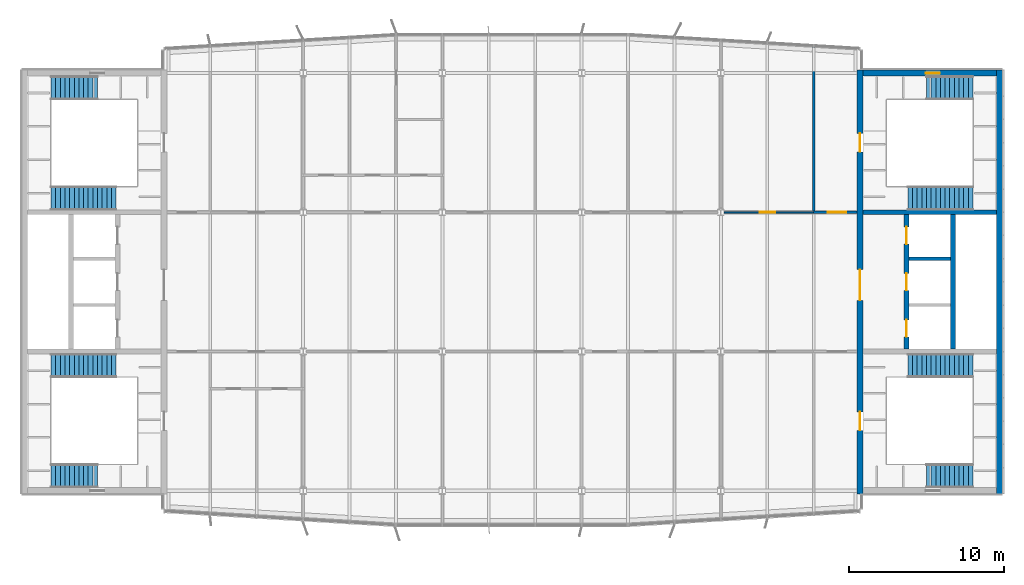
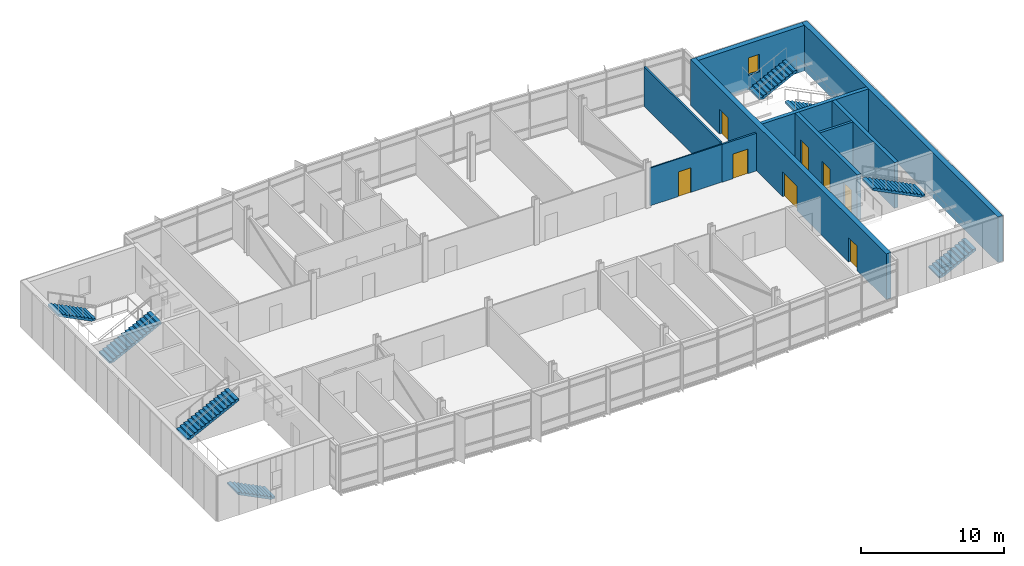
# One storey, part 13 of 17: 10 walls, 8 doors, 8 stair flights, 1 window, 9 openings, 4 elements without a shape of their own.
"""IFC4 building model written with IfcOpenShell, lengths in metres."""

from ifc_helpers import new_model, si_unit, direction, frame, frame_2d, origin, place, context, subcontext, project, spatial, polyline, rectangle, outline, extrude, material, layer, layer_set, type_object, element, fill, aggregate, save


model = new_model("IFC4")

# Units and contexts
model_context = context("Model", 3, precision=1e-05, world=origin(), true_north=direction((0.0, 1.0)))
body_context = subcontext(model_context, "Body", "Model", "MODEL_VIEW")
ifc_project = project(units=[si_unit("LENGTHUNIT", "METRE"), si_unit("AREAUNIT", "SQUARE_METRE"), si_unit("VOLUMEUNIT", "CUBIC_METRE"), si_unit("PLANEANGLEUNIT", "RADIAN"), si_unit("MASSUNIT", "GRAM", prefix="KILO")], contexts=[model_context])

# Site, building, storey
site_placement = place(None, origin())
site = spatial("IfcSite", under=ifc_project, at=site_placement, CompositionType="ELEMENT")
building_placement = place(site_placement, origin())
building = spatial("IfcBuilding", under=site, at=building_placement, Name="Azimuth Sports and Learning Centre", CompositionType="ELEMENT")
storey_placement = place(building_placement, frame((0.0, 0.0, 40.199951171875)))
storey = spatial("IfcBuildingStorey", under=building, at=storey_placement, Name="L08", CompositionType="ELEMENT", Elevation=40.199951171875)

# Wall
ifc_material_1 = material(Name="Dense masonry blockwork", Category="masonry")
ifc_layer_1 = layer(ifc_material_1, 0.199951171875)
ifc_layer_set_1 = layer_set([ifc_layer_1], Name="Dense masonry blockwork")
wall_type_1 = type_object("IfcWallType", Name="Blockwork wall 200 EI 120", PredefinedType="SOLIDWALL", material=ifc_layer_set_1)
wall_1_placement = place(storey_placement, frame((111.14990234375, 105.0, 0.0), z_axis=(0.0, 0.0, 1.0), x_axis=(1.0, 0.0, 0.0)))
element("IfcWall", 1, at=wall_1_placement, inside=storey, type_object=wall_type_1, Name="SD-E-2-L08", PredefinedType="SOLIDWALL", context=body_context, shape_type="SweptSolid", body=[
    extrude(rectangle(XDim=2.7001953125, YDim=0.199951171875, at=frame_2d((1.35009765625, 0.0))), origin(), (0.0, 0.0, 1.0), 3.900146484375),
])

# Wall, opening, door
ifc_material_2 = material(Name="Gypsum board on steel studs", Category="steel")
ifc_layer_2 = layer(ifc_material_2, 0.10009765625)
ifc_layer_set_2 = layer_set([ifc_layer_2], Name="Gypsum board on steel studs")
wall_type_2 = type_object("IfcWallType", Name="Partition 100 EI 30", PredefinedType="PARTITIONING", material=ifc_layer_set_2)
wall_2_placement = place(storey_placement, frame((99.2060546875, 108.0, 0.0), z_axis=(0.0, 0.0, 1.0), x_axis=(1.0, 0.0, 0.0)))
wall_2 = element("IfcWall", 2, at=wall_2_placement, inside=storey, type_object=wall_type_2, Name="Partition Classroom 08.22 / Classroom 08.23", PredefinedType="PARTITIONING", context=body_context, shape_type="SweptSolid", body=[
    extrude(rectangle(XDim=5.7939453125, YDim=0.10009765625, at=frame_2d((2.89697265625, 0.0))), origin(), (0.0, 0.0, 1.0), 3.219970703125),
])
opening_1_placement = place(wall_2_placement, frame((2.2939453125, 0.0, 0.0)))
opening_1 = element("IfcOpeningElement", 3, at=opening_1_placement, cuts=wall_2, Name="Opening D08-027", PredefinedType="OPENING", context=body_context, shape_type="SweptSolid", body=[
    extrude(rectangle(XDim=1.0, YDim=2.10009765625, at=frame_2d((0.5, 1.050048828125))), frame((0.0, 0.06103515625, 0.0), z_axis=(0.0, -1.0, 0.0), x_axis=(1.0, 0.0, 0.0)), (0.0, 0.0, 1.0), 0.1220703125),
])
ifc_material_3 = material(Name="Painted steel door set", Category="steel")
door_type_1 = type_object("IfcDoorType", Name="Fire door FD30S 1000 x 2100", OperationType="NOTDEFINED", PredefinedType="DOOR", material=ifc_material_3)
door_1_placement = place(opening_1_placement, origin())
door_1 = element("IfcDoor", 4, at=door_1_placement, inside=storey, type_object=door_type_1, Name="Door Seminar Room 08.25 / Learning Street", OperationType="SINGLE_SWING_LEFT", OverallHeight=2.10009765625, OverallWidth=1.0, PredefinedType="DOOR", context=body_context, shape_type="SweptSolid", body=[
    extrude(rectangle(XDim=1.0, YDim=2.10009765625, at=frame_2d((0.5, 1.050048828125))), frame((0.0, 0.02490234375, 0.0), z_axis=(0.0, -1.0, 0.0), x_axis=(1.0, 0.0, 0.0)), (0.0, 0.0, 1.0), 0.050048828125),
])
fill(opening_1, door_1)

ifc_material_4 = material(Name="Lightweight blockwork, rendered", Category="masonry")
ifc_layer_3 = layer(ifc_material_4, 0.14990234375)
ifc_layer_set_3 = layer_set([ifc_layer_3], Name="Lightweight blockwork, rendered")
wall_type_3 = type_object("IfcWallType", Name="Partition 150 EI 60", PredefinedType="PARTITIONING", material=ifc_layer_set_3)
wall_3_placement = place(storey_placement, frame((105.0, 108.0, 0.0), z_axis=(0.0, 0.0, 1.0), x_axis=(1.0, 0.0, 0.0)))
wall_3 = element("IfcWall", 5, at=wall_3_placement, inside=storey, type_object=wall_type_3, Name="Partition Stair Lobby E2 08.04 / Learning Street", PredefinedType="PARTITIONING", context=body_context, shape_type="SweptSolid", body=[
    extrude(rectangle(XDim=2.800048828125, YDim=0.14990234375, at=frame_2d((1.39990234375, 0.0))), origin(), (0.0, 0.0, 1.0), 3.219970703125),
])
opening_2_placement = place(wall_3_placement, frame((0.89990234375, 0.0, 0.0)))
opening_2 = element("IfcOpeningElement", 6, at=opening_2_placement, cuts=wall_3, Name="Opening D08-014", PredefinedType="OPENING", context=body_context, shape_type="SweptSolid", body=[
    extrude(rectangle(XDim=1.199951171875, YDim=2.10009765625, at=frame_2d((0.60009765625, 1.050048828125))), frame((0.0, 0.0859375, 0.0), z_axis=(0.0, -1.0, 0.0), x_axis=(1.0, 0.0, 0.0)), (0.0, 0.0, 1.0), 0.171875),
])
ifc_material_5 = material(Name="Painted steel door set", Category="steel")
door_type_2 = type_object("IfcDoorType", Name="Fire door FD60 1200 x 2100", OperationType="NOTDEFINED", PredefinedType="DOOR", material=ifc_material_5)
door_2_placement = place(opening_2_placement, origin())
door_2 = element("IfcDoor", 7, at=door_2_placement, inside=storey, type_object=door_type_2, Name="Door Stair Lobby E2 08.04 / Learning Street", OperationType="SINGLE_SWING_RIGHT", OverallHeight=2.10009765625, OverallWidth=1.199951171875, PredefinedType="DOOR", context=body_context, shape_type="SweptSolid", body=[
    extrude(rectangle(XDim=1.199951171875, YDim=2.10009765625, at=frame_2d((0.60009765625, 1.050048828125))), frame((0.0, 0.02490234375, 0.0), z_axis=(0.0, -1.0, 0.0), x_axis=(1.0, 0.0, 0.0)), (0.0, 0.0, 1.0), 0.050048828125),
])
fill(opening_2, door_2)

# Walls
wall_4_placement = place(storey_placement, frame((105.0, 108.074951171875, 0.0), z_axis=(0.0, 0.0, 1.0), x_axis=(0.0, 1.0, 0.0)))
element("IfcWall", 8, at=wall_4_placement, inside=storey, type_object=wall_type_3, Name="Partition Stair Lobby E2 08.04 / Seminar Room 08.25", PredefinedType="PARTITIONING", context=body_context, shape_type="SweptSolid", body=[
    extrude(rectangle(XDim=10.60498046875, YDim=0.14990234375, at=frame_2d((5.302490234375, 0.0))), origin(), (0.0, 0.0, 1.0), 3.3701171875),
])
ifc_material_6 = material(Name="Concrete C40/50", Category="concrete")
ifc_layer_4 = layer(ifc_material_6, 0.300048828125)
ifc_layer_set_4 = layer_set([ifc_layer_4], Name="Concrete C40/50")
wall_type_4 = type_object("IfcWallType", Name="RC core wall 300", PredefinedType="SHEAR", material=ifc_layer_set_4)
wall_5_placement = place(storey_placement, frame((108.199951171875, 108.0, 0.0), z_axis=(0.0, 0.0, 1.0), x_axis=(1.0, 0.0, 0.0)))
element("IfcWall", 9, at=wall_5_placement, inside=storey, type_object=wall_type_4, Name="Core wall E D2 L08", PredefinedType="SHEAR", context=body_context, shape_type="SweptSolid", body=[
    extrude(rectangle(XDim=8.60009765625, YDim=0.300048828125, at=frame_2d((4.300048828125, 0.0))), origin(), (0.0, 0.0, 1.0), 3.900146484375),
])

# Wall, openings, doors
wall_6_placement = place(storey_placement, frame((111.0, 99.14990234375, 0.0), z_axis=(0.0, 0.0, 1.0), x_axis=(0.0, 1.0, 0.0)))
wall_6 = element("IfcWall", 10, at=wall_6_placement, inside=storey, type_object=wall_type_4, Name="Core wall E LB1 L08", PredefinedType="SHEAR", context=body_context, shape_type="SweptSolid", body=[
    extrude(rectangle(XDim=8.7001953125, YDim=0.300048828125, at=frame_2d((4.35009765625, 0.0))), origin(), (0.0, 0.0, 1.0), 3.900146484375),
])
opening_3_placement = place(wall_6_placement, frame((0.800048828125, 0.0, 0.0)))
opening_3 = element("IfcOpeningElement", 11, at=opening_3_placement, cuts=wall_6, Name="Opening D08-008", PredefinedType="OPENING", context=body_context, shape_type="SweptSolid", body=[
    extrude(rectangle(XDim=1.10009765625, YDim=2.10009765625, at=frame_2d((0.550048828125, 1.050048828125))), frame((0.0, 0.1611328125, 0.0), z_axis=(0.0, -1.0, 0.0), x_axis=(1.0, 0.0, 0.0)), (0.0, 0.0, 1.0), 0.322021484375),
])
opening_4_placement = place(wall_6_placement, frame((3.800048828125, 0.0, 0.0)))
opening_4 = element("IfcOpeningElement", 12, at=opening_4_placement, cuts=wall_6, Name="Opening D08-009", PredefinedType="OPENING", context=body_context, shape_type="SweptSolid", body=[
    extrude(rectangle(XDim=1.10009765625, YDim=2.10009765625, at=frame_2d((0.550048828125, 1.050048828125))), frame((0.0, 0.1611328125, 0.0), z_axis=(0.0, -1.0, 0.0), x_axis=(1.0, 0.0, 0.0)), (0.0, 0.0, 1.0), 0.322021484375),
])
opening_5_placement = place(wall_6_placement, frame((6.800048828125, 0.0, 0.0)))
opening_5 = element("IfcOpeningElement", 13, at=opening_5_placement, cuts=wall_6, Name="Opening D08-010", PredefinedType="OPENING", context=body_context, shape_type="SweptSolid", body=[
    extrude(rectangle(XDim=1.10009765625, YDim=2.10009765625, at=frame_2d((0.550048828125, 1.050048828125))), frame((0.0, 0.1611328125, 0.0), z_axis=(0.0, -1.0, 0.0), x_axis=(1.0, 0.0, 0.0)), (0.0, 0.0, 1.0), 0.322021484375),
])
ifc_material_7 = material(Name="Stainless steel", Category="steel")
door_type_3 = type_object("IfcDoorType", Name="Lift landing door 1100 x 2100", OperationType="DOUBLE_DOOR_SLIDING", PredefinedType="DOOR", material=ifc_material_7)
door_3_placement = place(opening_3_placement, origin())
door_3 = element("IfcDoor", 14, at=door_3_placement, inside=storey, type_object=door_type_3, Name="Landing door LE1 L08", OperationType="DOUBLE_DOOR_SLIDING", OverallHeight=2.10009765625, OverallWidth=1.10009765625, PredefinedType="DOOR", context=body_context, shape_type="SweptSolid", body=[
    extrude(rectangle(XDim=1.10009765625, YDim=2.10009765625, at=frame_2d((0.550048828125, 1.050048828125))), frame((0.0, 0.02490234375, 0.0), z_axis=(0.0, -1.0, 0.0), x_axis=(1.0, 0.0, 0.0)), (0.0, 0.0, 1.0), 0.050048828125),
])
fill(opening_3, door_3)
door_4_placement = place(opening_4_placement, origin())
door_4 = element("IfcDoor", 15, at=door_4_placement, inside=storey, type_object=door_type_3, Name="Landing door LE2 L08", OperationType="DOUBLE_DOOR_SLIDING", OverallHeight=2.10009765625, OverallWidth=1.10009765625, PredefinedType="DOOR", context=body_context, shape_type="SweptSolid", body=[
    extrude(rectangle(XDim=1.10009765625, YDim=2.10009765625, at=frame_2d((0.550048828125, 1.050048828125))), frame((0.0, 0.02490234375, 0.0), z_axis=(0.0, -1.0, 0.0), x_axis=(1.0, 0.0, 0.0)), (0.0, 0.0, 1.0), 0.050048828125),
])
fill(opening_4, door_4)
door_5_placement = place(opening_5_placement, origin())
door_5 = element("IfcDoor", 16, at=door_5_placement, inside=storey, type_object=door_type_3, Name="Landing door LE3 L08", OperationType="DOUBLE_DOOR_SLIDING", OverallHeight=2.10009765625, OverallWidth=1.10009765625, PredefinedType="DOOR", context=body_context, shape_type="SweptSolid", body=[
    extrude(rectangle(XDim=1.10009765625, YDim=2.10009765625, at=frame_2d((0.550048828125, 1.050048828125))), frame((0.0, 0.02490234375, 0.0), z_axis=(0.0, -1.0, 0.0), x_axis=(1.0, 0.0, 0.0)), (0.0, 0.0, 1.0), 0.050048828125),
])
fill(opening_5, door_5)

# Wall
wall_7_placement = place(storey_placement, frame((114.0, 99.14990234375, 0.0), z_axis=(0.0, 0.0, 1.0), x_axis=(0.0, 1.0, 0.0)))
element("IfcWall", 17, at=wall_7_placement, inside=storey, type_object=wall_type_4, Name="Core wall E LB2 L08", PredefinedType="SHEAR", context=body_context, shape_type="SweptSolid", body=[
    extrude(rectangle(XDim=8.7001953125, YDim=0.300048828125, at=frame_2d((4.35009765625, 0.0))), origin(), (0.0, 0.0, 1.0), 3.900146484375),
])

# Wall, openings, doors
ifc_material_8 = material(Name="Concrete C40/50", Category="concrete")
ifc_layer_5 = layer(ifc_material_8, 0.39990234375)
ifc_layer_set_5 = layer_set([ifc_layer_5], Name="Concrete C40/50")
wall_type_5 = type_object("IfcWallType", Name="RC core wall 400", PredefinedType="SHEAR", material=ifc_layer_set_5)
wall_8_placement = place(storey_placement, frame((108.0, 89.800048828125, 0.0), z_axis=(0.0, 0.0, 1.0), x_axis=(0.0, 1.0, 0.0)))
wall_8 = element("IfcWall", 18, at=wall_8_placement, inside=storey, type_object=wall_type_5, Name="Core wall E W L08", PredefinedType="SHEAR", context=body_context, shape_type="SweptSolid", body=[
    extrude(rectangle(XDim=27.39990234375, YDim=0.39990234375, at=frame_2d((13.699951171875, 0.0))), origin(), (0.0, 0.0, 1.0), 3.900146484375),
])
opening_6_placement = place(wall_8_placement, frame((4.10009765625, 0.0, 0.0)))
opening_6 = element("IfcOpeningElement", 19, at=opening_6_placement, cuts=wall_8, Name="Opening D08-003", PredefinedType="OPENING", context=body_context, shape_type="SweptSolid", body=[
    extrude(rectangle(XDim=1.199951171875, YDim=2.10009765625, at=frame_2d((0.60009765625, 1.050048828125))), frame((0.0, 0.2109375, 0.0), z_axis=(0.0, -1.0, 0.0), x_axis=(1.0, 0.0, 0.0)), (0.0, 0.0, 1.0), 0.421875),
])
opening_7_placement = place(wall_8_placement, frame((22.10009765625, 0.0, 0.0)))
opening_7 = element("IfcOpeningElement", 20, at=opening_7_placement, cuts=wall_8, Name="Opening D08-004", PredefinedType="OPENING", context=body_context, shape_type="SweptSolid", body=[
    extrude(rectangle(XDim=1.199951171875, YDim=2.10009765625, at=frame_2d((0.60009765625, 1.050048828125))), frame((0.0, 0.2109375, 0.0), z_axis=(0.0, -1.0, 0.0), x_axis=(1.0, 0.0, 0.0)), (0.0, 0.0, 1.0), 0.421875),
])
opening_8_placement = place(wall_8_placement, frame((12.5, 0.0, 0.0)))
opening_8 = element("IfcOpeningElement", 21, at=opening_8_placement, cuts=wall_8, Name="Opening D08-035", PredefinedType="OPENING", context=body_context, shape_type="SweptSolid", body=[
    extrude(rectangle(XDim=2.0, YDim=2.10009765625, at=frame_2d((1.0, 1.050048828125))), frame((0.0, 0.2109375, 0.0), z_axis=(0.0, -1.0, 0.0), x_axis=(1.0, 0.0, 0.0)), (0.0, 0.0, 1.0), 0.421875),
])
ifc_material_9 = material(Name="Painted steel door set", Category="steel")
door_type_4 = type_object("IfcDoorType", Name="Fire door FD120 2000 x 2100 double leaf", OperationType="DOUBLE_DOOR_SINGLE_SWING", PredefinedType="DOOR", material=ifc_material_9)
door_6_placement = place(opening_8_placement, frame((2.0, 0.0, 0.0), z_axis=(0.0, 0.0, 1.0), x_axis=(-1.0, 0.0, 0.0)))
door_6 = element("IfcDoor", 22, at=door_6_placement, inside=storey, type_object=door_type_4, Name="Door Lift Lobby E 08.06 / Learning Street", OperationType="DOUBLE_DOOR_SINGLE_SWING", OverallHeight=2.10009765625, OverallWidth=2.0, PredefinedType="DOOR", context=body_context, shape_type="SweptSolid", body=[
    extrude(rectangle(XDim=2.0, YDim=2.10009765625, at=frame_2d((1.0, 1.050048828125))), frame((0.0, 0.02490234375, 0.0), z_axis=(0.0, -1.0, 0.0), x_axis=(1.0, 0.0, 0.0)), (0.0, 0.0, 1.0), 0.050048828125),
])
fill(opening_8, door_6)
ifc_material_10 = material(Name="Steel", Category="steel")
door_type_5 = type_object("IfcDoorType", Name="Stair fire door 1200 x 2100", OperationType="NOTDEFINED", PredefinedType="DOOR", material=ifc_material_10)
door_7_placement = place(opening_6_placement, frame((1.199951171875, 0.0, 0.0), z_axis=(0.0, 0.0, 1.0), x_axis=(-1.0, 0.0, 0.0)))
door_7 = element("IfcDoor", 23, at=door_7_placement, inside=storey, type_object=door_type_5, Name="Stair door E1 L08", OperationType="SINGLE_SWING_RIGHT", OverallHeight=2.10009765625, OverallWidth=1.199951171875, PredefinedType="DOOR", context=body_context, shape_type="SweptSolid", body=[
    extrude(rectangle(XDim=1.199951171875, YDim=2.10009765625, at=frame_2d((0.60009765625, 1.050048828125))), frame((0.0, 0.02490234375, 0.0), z_axis=(0.0, -1.0, 0.0), x_axis=(1.0, 0.0, 0.0)), (0.0, 0.0, 1.0), 0.050048828125),
])
fill(opening_6, door_7)
door_8_placement = place(opening_7_placement, frame((1.199951171875, 0.0, 0.0), z_axis=(0.0, 0.0, 1.0), x_axis=(-1.0, 0.0, 0.0)))
door_8 = element("IfcDoor", 24, at=door_8_placement, inside=storey, type_object=door_type_5, Name="Stair door E2 L08", OperationType="SINGLE_SWING_RIGHT", OverallHeight=2.10009765625, OverallWidth=1.199951171875, PredefinedType="DOOR", context=body_context, shape_type="SweptSolid", body=[
    extrude(rectangle(XDim=1.199951171875, YDim=2.10009765625, at=frame_2d((0.60009765625, 1.050048828125))), frame((0.0, 0.02490234375, 0.0), z_axis=(0.0, -1.0, 0.0), x_axis=(1.0, 0.0, 0.0)), (0.0, 0.0, 1.0), 0.050048828125),
])
fill(opening_7, door_8)

# Wall, opening, window
ifc_material_11 = material(Name="Concrete C40/50", Category="concrete")
ifc_layer_6 = layer(ifc_material_11, 0.39990234375)
ifc_layer_set_6 = layer_set([ifc_layer_6], Name="Concrete C40/50")
wall_type_6 = type_object("IfcWallType", Name="RC external core wall 400", PredefinedType="SHEAR", material=ifc_layer_set_6)
wall_9_placement = place(storey_placement, frame((108.199951171875, 117.0, 0.0), z_axis=(0.0, 0.0, 1.0), x_axis=(1.0, 0.0, 0.0)))
wall_9 = element("IfcWall", 25, at=wall_9_placement, inside=storey, type_object=wall_type_6, Name="Core wall E N L08", PredefinedType="SHEAR", context=body_context, shape_type="SweptSolid", body=[
    extrude(rectangle(XDim=8.60009765625, YDim=0.39990234375, at=frame_2d((4.300048828125, 0.0))), origin(), (0.0, 0.0, 1.0), 3.900146484375),
])
opening_9_placement = place(wall_9_placement, frame((4.050048828125, 0.0, 1.199951171875)))
opening_9 = element("IfcOpeningElement", 26, at=opening_9_placement, cuts=wall_9, Name="Opening W08-003", PredefinedType="OPENING", context=body_context, shape_type="SweptSolid", body=[
    extrude(rectangle(XDim=0.89990234375, YDim=1.5, at=frame_2d((0.449951171875, 0.75))), frame((0.0, 0.2109375, 0.0), z_axis=(0.0, -1.0, 0.0), x_axis=(1.0, 0.0, 0.0)), (0.0, 0.0, 1.0), 0.421875),
])
ifc_material_12 = material(Name="Aluminium and glass", Category="aluminium")
window_type = type_object("IfcWindowType", Name="Stair window tower core 900x1500", PartitioningType="SINGLE_PANEL", PredefinedType="WINDOW", material=ifc_material_12)
window_placement = place(opening_9_placement, origin())
window = element("IfcWindow", 27, at=window_placement, inside=storey, type_object=window_type, Name="Window W08-003", OverallHeight=1.5, OverallWidth=0.89990234375, PartitioningType="SINGLE_PANEL", PredefinedType="WINDOW", context=body_context, shape_type="SweptSolid", body=[
    extrude(rectangle(XDim=0.89990234375, YDim=1.5, at=frame_2d((0.449951171875, 0.75))), frame((0.0, 0.030029296875, 0.0), z_axis=(0.0, -1.0, 0.0), x_axis=(1.0, 0.0, 0.0)), (0.0, 0.0, 1.0), 0.06005859375),
])
fill(opening_9, window)

# Wall
wall_10_placement = place(storey_placement, frame((117.0, 89.800048828125, 0.0), z_axis=(0.0, 0.0, 1.0), x_axis=(0.0, 1.0, 0.0)))
element("IfcWall", 28, at=wall_10_placement, inside=storey, type_object=wall_type_6, Name="Core wall E E L08", PredefinedType="SHEAR", context=body_context, shape_type="SweptSolid", body=[
    extrude(rectangle(XDim=27.39990234375, YDim=0.39990234375, at=frame_2d((13.699951171875, 0.0))), origin(), (0.0, 0.0, 1.0), 3.900146484375),
])

# Stair, stair flight
ifc_material_13 = material(Name="Concrete C32/40", Category="concrete")
stair_type = type_object("IfcStairType", Name="Square-well stair core 3900 storey", PredefinedType="THREE_QUARTER_TURN_STAIR", material=ifc_material_13)
stair_1_placement = place(storey_placement, origin())
stair_1 = element("IfcStair", 29, at=stair_1_placement, inside=storey, type_object=stair_type, Name="Stair W1 L08-L09", PredefinedType="THREE_QUARTER_TURN_STAIR")
ifc_material_14 = material(Name="Concrete C32/40", Category="concrete")
stair_flight_type_1 = type_object("IfcStairFlightType", Name="Stair flight 11 risers", PredefinedType="STRAIGHT", material=ifc_material_14)
stair_flight_1_placement = place(storey_placement, frame((58.7099609375, 90.9599609375, 0.0), z_axis=(0.0, 0.0, 1.0), x_axis=(-1.0, 0.0, 0.0)))
stair_flight_1 = element("IfcStairFlight", 30, at=stair_flight_1_placement, type_object=stair_flight_type_1, Name="Stair W1 L08 flight 1", NumberOfRisers=11, NumberOfTreads=10, PredefinedType="STRAIGHT", RiserHeight=0.15, TreadLength=0.3, context=body_context, shape_type="SweptSolid", body=[
    extrude(outline(polyline([(0.0, 0.0), (0.0, 0.14990234375), (0.300048828125, 0.14990234375), (0.300048828125, 0.300048828125), (0.60009765625, 0.300048828125), (0.60009765625, 0.449951171875), (0.89990234375, 0.449951171875), (0.89990234375, 0.60009765625), (1.199951171875, 0.60009765625), (1.199951171875, 0.75), (1.5, 0.75), (1.5, 0.89990234375), (1.800048828125, 0.89990234375), (1.800048828125, 1.050048828125), (2.10009765625, 1.050048828125), (2.10009765625, 1.199951171875), (2.39990234375, 1.199951171875), (2.39990234375, 1.35009765625), (2.699951171875, 1.35009765625), (2.699951171875, 1.5), (3.0, 1.5), (3.0, 1.64990234375), (3.0, 1.33251953125), (0.335205078125, 0.0), (0.0, 0.0)])), frame((0.0, 0.75, 0.0), z_axis=(0.0, -1.0, 0.0), x_axis=(1.0, 0.0, 0.0)), (0.0, 0.0, 1.0), 1.5),
])

stair_2_placement = place(storey_placement, origin())
stair_2 = element("IfcStair", 31, at=stair_2_placement, inside=storey, type_object=stair_type, Name="Stair W2 L08-L09", PredefinedType="THREE_QUARTER_TURN_STAIR")
stair_flight_2_placement = place(storey_placement, frame((58.7099609375, 116.0400390625, 0.0), z_axis=(0.0, 0.0, 1.0), x_axis=(-1.0, 0.0, 0.0)))
stair_flight_2 = element("IfcStairFlight", 32, at=stair_flight_2_placement, type_object=stair_flight_type_1, Name="Stair W2 L08 flight 1", NumberOfRisers=11, NumberOfTreads=10, PredefinedType="STRAIGHT", RiserHeight=0.15, TreadLength=0.3, context=body_context, shape_type="SweptSolid", body=[
    extrude(outline(polyline([(0.0, 0.0), (0.0, 0.14990234375), (0.300048828125, 0.14990234375), (0.300048828125, 0.300048828125), (0.60009765625, 0.300048828125), (0.60009765625, 0.449951171875), (0.89990234375, 0.449951171875), (0.89990234375, 0.60009765625), (1.199951171875, 0.60009765625), (1.199951171875, 0.75), (1.5, 0.75), (1.5, 0.89990234375), (1.800048828125, 0.89990234375), (1.800048828125, 1.050048828125), (2.10009765625, 1.050048828125), (2.10009765625, 1.199951171875), (2.39990234375, 1.199951171875), (2.39990234375, 1.35009765625), (2.699951171875, 1.35009765625), (2.699951171875, 1.5), (3.0, 1.5), (3.0, 1.64990234375), (3.0, 1.33251953125), (0.335205078125, 0.0), (0.0, 0.0)])), frame((0.0, 0.75, 0.0), z_axis=(0.0, -1.0, 0.0), x_axis=(1.0, 0.0, 0.0)), (0.0, 0.0, 1.0), 1.5),
])

stair_3_placement = place(storey_placement, origin())
stair_3 = element("IfcStair", 33, at=stair_3_placement, inside=storey, type_object=stair_type, Name="Stair E1 L08-L09", PredefinedType="THREE_QUARTER_TURN_STAIR")
stair_flight_3_placement = place(storey_placement, frame((112.2900390625, 90.9599609375, 0.0), z_axis=(0.0, 0.0, 1.0), x_axis=(1.0, 0.0, 0.0)))
stair_flight_3 = element("IfcStairFlight", 34, at=stair_flight_3_placement, type_object=stair_flight_type_1, Name="Stair E1 L08 flight 1", NumberOfRisers=11, NumberOfTreads=10, PredefinedType="STRAIGHT", RiserHeight=0.15, TreadLength=0.3, context=body_context, shape_type="SweptSolid", body=[
    extrude(outline(polyline([(0.0, 0.0), (0.0, 0.14990234375), (0.300048828125, 0.14990234375), (0.300048828125, 0.300048828125), (0.60009765625, 0.300048828125), (0.60009765625, 0.449951171875), (0.89990234375, 0.449951171875), (0.89990234375, 0.60009765625), (1.199951171875, 0.60009765625), (1.199951171875, 0.75), (1.5, 0.75), (1.5, 0.89990234375), (1.800048828125, 0.89990234375), (1.800048828125, 1.050048828125), (2.10009765625, 1.050048828125), (2.10009765625, 1.199951171875), (2.39990234375, 1.199951171875), (2.39990234375, 1.35009765625), (2.699951171875, 1.35009765625), (2.699951171875, 1.5), (3.0, 1.5), (3.0, 1.64990234375), (3.0, 1.33251953125), (0.335205078125, 0.0), (0.0, 0.0)])), frame((0.0, 0.75, 0.0), z_axis=(0.0, -1.0, 0.0), x_axis=(1.0, 0.0, 0.0)), (0.0, 0.0, 1.0), 1.5),
])

stair_4_placement = place(storey_placement, origin())
stair_4 = element("IfcStair", 35, at=stair_4_placement, inside=storey, type_object=stair_type, Name="Stair E2 L08-L09", PredefinedType="THREE_QUARTER_TURN_STAIR")
stair_flight_4_placement = place(storey_placement, frame((112.2900390625, 116.0400390625, 0.0), z_axis=(0.0, 0.0, 1.0), x_axis=(1.0, 0.0, 0.0)))
stair_flight_4 = element("IfcStairFlight", 36, at=stair_flight_4_placement, type_object=stair_flight_type_1, Name="Stair E2 L08 flight 1", NumberOfRisers=11, NumberOfTreads=10, PredefinedType="STRAIGHT", RiserHeight=0.15, TreadLength=0.3, context=body_context, shape_type="SweptSolid", body=[
    extrude(outline(polyline([(0.0, 0.0), (0.0, 0.14990234375), (0.300048828125, 0.14990234375), (0.300048828125, 0.300048828125), (0.60009765625, 0.300048828125), (0.60009765625, 0.449951171875), (0.89990234375, 0.449951171875), (0.89990234375, 0.60009765625), (1.199951171875, 0.60009765625), (1.199951171875, 0.75), (1.5, 0.75), (1.5, 0.89990234375), (1.800048828125, 0.89990234375), (1.800048828125, 1.050048828125), (2.10009765625, 1.050048828125), (2.10009765625, 1.199951171875), (2.39990234375, 1.199951171875), (2.39990234375, 1.35009765625), (2.699951171875, 1.35009765625), (2.699951171875, 1.5), (3.0, 1.5), (3.0, 1.64990234375), (3.0, 1.33251953125), (0.335205078125, 0.0), (0.0, 0.0)])), frame((0.0, 0.75, 0.0), z_axis=(0.0, -1.0, 0.0), x_axis=(1.0, 0.0, 0.0)), (0.0, 0.0, 1.0), 1.5),
])

# Stair flight
ifc_material_15 = material(Name="Concrete C32/40", Category="concrete")
stair_flight_type_2 = type_object("IfcStairFlightType", Name="Stair flight 15 risers", PredefinedType="STRAIGHT", material=ifc_material_15)
stair_flight_5_placement = place(storey_placement, frame((55.7099609375, 98.090087890625, 1.650146484375), z_axis=(0.0, 0.0, 1.0), x_axis=(1.0, 0.0, 0.0)))
stair_flight_5 = element("IfcStairFlight", 37, at=stair_flight_5_placement, type_object=stair_flight_type_2, Name="Stair W1 L08 flight 2", NumberOfRisers=15, NumberOfTreads=14, PredefinedType="STRAIGHT", RiserHeight=0.15, TreadLength=0.3, context=body_context, shape_type="SweptSolid", body=[
    extrude(outline(polyline([(0.0, 0.0), (0.0, 0.14990234375), (0.300048828125, 0.14990234375), (0.300048828125, 0.300048828125), (0.60009765625, 0.300048828125), (0.60009765625, 0.449951171875), (0.89990234375, 0.449951171875), (0.89990234375, 0.60009765625), (1.199951171875, 0.60009765625), (1.199951171875, 0.75), (1.5, 0.75), (1.5, 0.89990234375), (1.800048828125, 0.89990234375), (1.800048828125, 1.050048828125), (2.10009765625, 1.050048828125), (2.10009765625, 1.199951171875), (2.39990234375, 1.199951171875), (2.39990234375, 1.35009765625), (2.699951171875, 1.35009765625), (2.699951171875, 1.5), (3.0, 1.5), (3.0, 1.64990234375), (3.300048828125, 1.64990234375), (3.300048828125, 1.800048828125), (3.60009765625, 1.800048828125), (3.60009765625, 1.949951171875), (3.89990234375, 1.949951171875), (3.89990234375, 2.10009765625), (4.199951171875, 2.10009765625), (4.199951171875, 2.25), (4.199951171875, 1.932373046875), (0.335205078125, 0.0), (0.0, 0.0)])), frame((0.0, 0.75, 0.0), z_axis=(0.0, -1.0, 0.0), x_axis=(1.0, 0.0, 0.0)), (0.0, 0.0, 1.0), 1.5),
])

aggregate(stair_1, [stair_flight_1, stair_flight_5])

stair_flight_6_placement = place(storey_placement, frame((55.7099609375, 108.909912109375, 1.650146484375), z_axis=(0.0, 0.0, 1.0), x_axis=(1.0, 0.0, 0.0)))
stair_flight_6 = element("IfcStairFlight", 38, at=stair_flight_6_placement, type_object=stair_flight_type_2, Name="Stair W2 L08 flight 2", NumberOfRisers=15, NumberOfTreads=14, PredefinedType="STRAIGHT", RiserHeight=0.15, TreadLength=0.3, context=body_context, shape_type="SweptSolid", body=[
    extrude(outline(polyline([(0.0, 0.0), (0.0, 0.14990234375), (0.300048828125, 0.14990234375), (0.300048828125, 0.300048828125), (0.60009765625, 0.300048828125), (0.60009765625, 0.449951171875), (0.89990234375, 0.449951171875), (0.89990234375, 0.60009765625), (1.199951171875, 0.60009765625), (1.199951171875, 0.75), (1.5, 0.75), (1.5, 0.89990234375), (1.800048828125, 0.89990234375), (1.800048828125, 1.050048828125), (2.10009765625, 1.050048828125), (2.10009765625, 1.199951171875), (2.39990234375, 1.199951171875), (2.39990234375, 1.35009765625), (2.699951171875, 1.35009765625), (2.699951171875, 1.5), (3.0, 1.5), (3.0, 1.64990234375), (3.300048828125, 1.64990234375), (3.300048828125, 1.800048828125), (3.60009765625, 1.800048828125), (3.60009765625, 1.949951171875), (3.89990234375, 1.949951171875), (3.89990234375, 2.10009765625), (4.199951171875, 2.10009765625), (4.199951171875, 2.25), (4.199951171875, 1.932373046875), (0.335205078125, 0.0), (0.0, 0.0)])), frame((0.0, 0.75, 0.0), z_axis=(0.0, -1.0, 0.0), x_axis=(1.0, 0.0, 0.0)), (0.0, 0.0, 1.0), 1.5),
])

aggregate(stair_2, [stair_flight_2, stair_flight_6])

stair_flight_7_placement = place(storey_placement, frame((115.2900390625, 98.090087890625, 1.650146484375), z_axis=(0.0, 0.0, 1.0), x_axis=(-1.0, 0.0, 0.0)))
stair_flight_7 = element("IfcStairFlight", 39, at=stair_flight_7_placement, type_object=stair_flight_type_2, Name="Stair E1 L08 flight 2", NumberOfRisers=15, NumberOfTreads=14, PredefinedType="STRAIGHT", RiserHeight=0.15, TreadLength=0.3, context=body_context, shape_type="SweptSolid", body=[
    extrude(outline(polyline([(0.0, 0.0), (0.0, 0.14990234375), (0.300048828125, 0.14990234375), (0.300048828125, 0.300048828125), (0.60009765625, 0.300048828125), (0.60009765625, 0.449951171875), (0.89990234375, 0.449951171875), (0.89990234375, 0.60009765625), (1.199951171875, 0.60009765625), (1.199951171875, 0.75), (1.5, 0.75), (1.5, 0.89990234375), (1.800048828125, 0.89990234375), (1.800048828125, 1.050048828125), (2.10009765625, 1.050048828125), (2.10009765625, 1.199951171875), (2.39990234375, 1.199951171875), (2.39990234375, 1.35009765625), (2.699951171875, 1.35009765625), (2.699951171875, 1.5), (3.0, 1.5), (3.0, 1.64990234375), (3.300048828125, 1.64990234375), (3.300048828125, 1.800048828125), (3.60009765625, 1.800048828125), (3.60009765625, 1.949951171875), (3.89990234375, 1.949951171875), (3.89990234375, 2.10009765625), (4.199951171875, 2.10009765625), (4.199951171875, 2.25), (4.199951171875, 1.932373046875), (0.335205078125, 0.0), (0.0, 0.0)])), frame((0.0, 0.75, 0.0), z_axis=(0.0, -1.0, 0.0), x_axis=(1.0, 0.0, 0.0)), (0.0, 0.0, 1.0), 1.5),
])

aggregate(stair_3, [stair_flight_3, stair_flight_7])

stair_flight_8_placement = place(storey_placement, frame((115.2900390625, 108.909912109375, 1.650146484375), z_axis=(0.0, 0.0, 1.0), x_axis=(-1.0, 0.0, 0.0)))
stair_flight_8 = element("IfcStairFlight", 40, at=stair_flight_8_placement, type_object=stair_flight_type_2, Name="Stair E2 L08 flight 2", NumberOfRisers=15, NumberOfTreads=14, PredefinedType="STRAIGHT", RiserHeight=0.15, TreadLength=0.3, context=body_context, shape_type="SweptSolid", body=[
    extrude(outline(polyline([(0.0, 0.0), (0.0, 0.14990234375), (0.300048828125, 0.14990234375), (0.300048828125, 0.300048828125), (0.60009765625, 0.300048828125), (0.60009765625, 0.449951171875), (0.89990234375, 0.449951171875), (0.89990234375, 0.60009765625), (1.199951171875, 0.60009765625), (1.199951171875, 0.75), (1.5, 0.75), (1.5, 0.89990234375), (1.800048828125, 0.89990234375), (1.800048828125, 1.050048828125), (2.10009765625, 1.050048828125), (2.10009765625, 1.199951171875), (2.39990234375, 1.199951171875), (2.39990234375, 1.35009765625), (2.699951171875, 1.35009765625), (2.699951171875, 1.5), (3.0, 1.5), (3.0, 1.64990234375), (3.300048828125, 1.64990234375), (3.300048828125, 1.800048828125), (3.60009765625, 1.800048828125), (3.60009765625, 1.949951171875), (3.89990234375, 1.949951171875), (3.89990234375, 2.10009765625), (4.199951171875, 2.10009765625), (4.199951171875, 2.25), (4.199951171875, 1.932373046875), (0.335205078125, 0.0), (0.0, 0.0)])), frame((0.0, 0.75, 0.0), z_axis=(0.0, -1.0, 0.0), x_axis=(1.0, 0.0, 0.0)), (0.0, 0.0, 1.0), 1.5),
])

aggregate(stair_4, [stair_flight_4, stair_flight_8])

save(model, "model.ifc")
